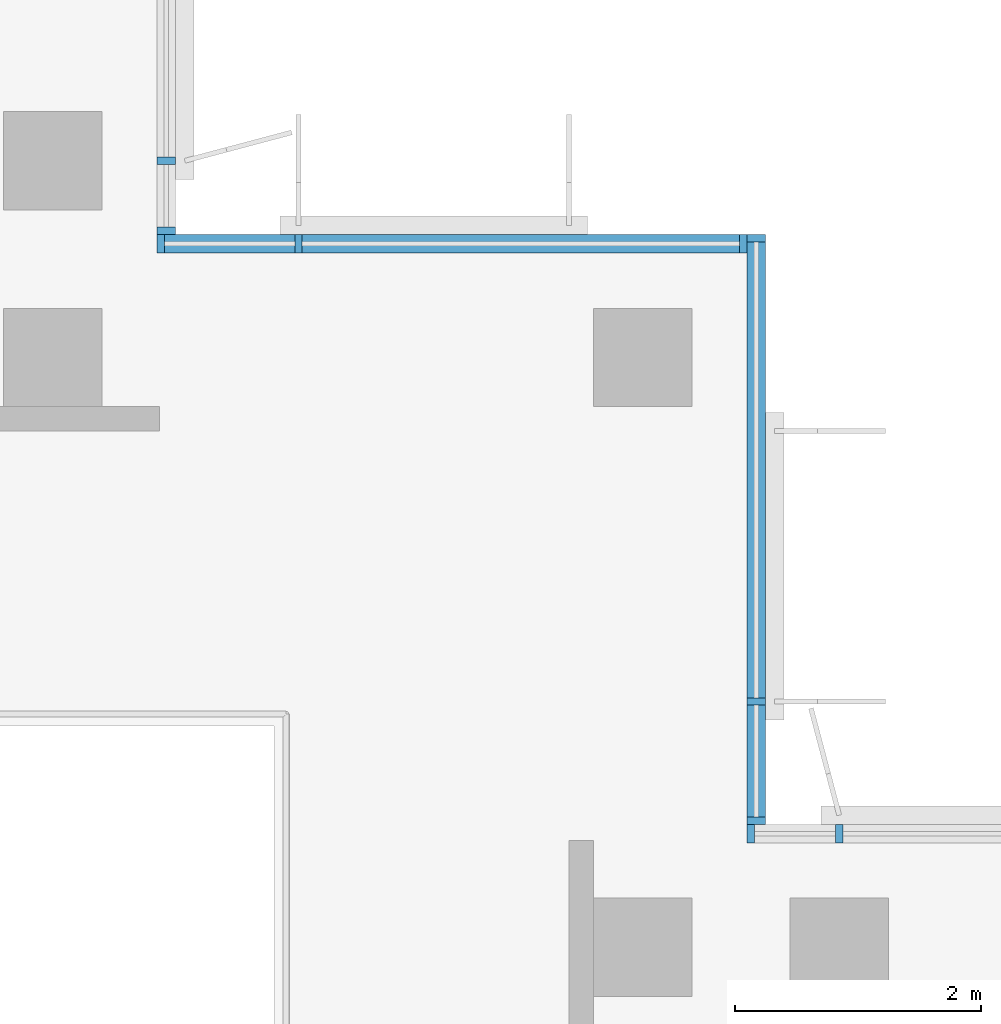
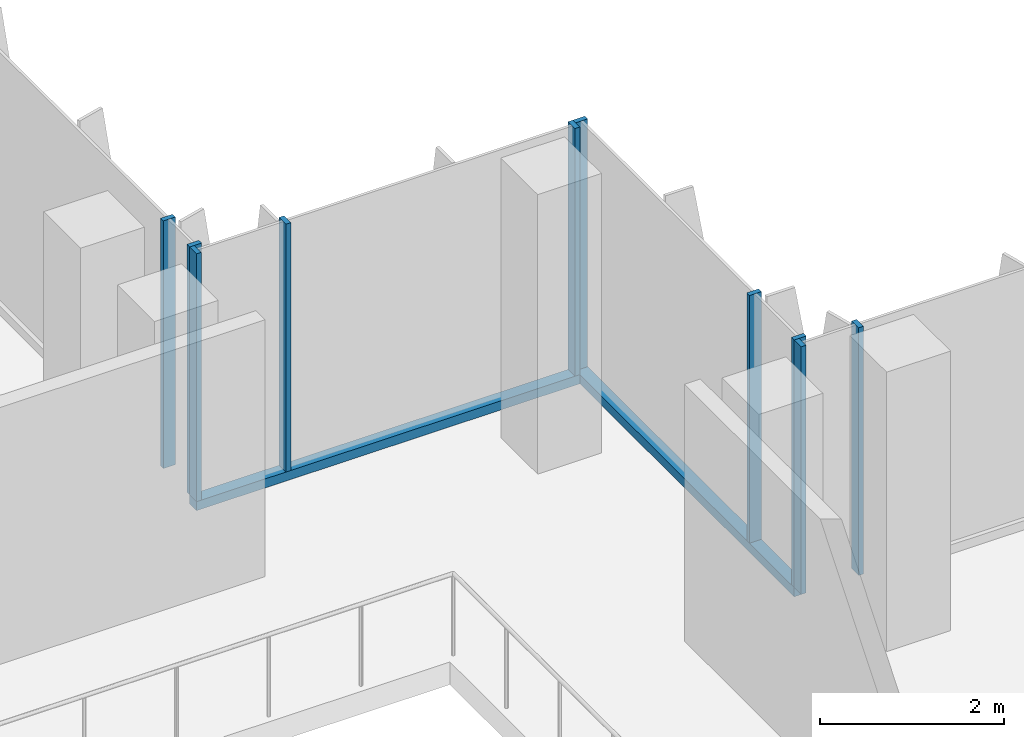
# One storey, part 2 of 16: 12 members, 4 elements without a shape of their own.
"""IFC4 building model written with IfcOpenShell, lengths in metres."""

from ifc_helpers import new_model, si_unit, direction, frame, origin, origin_2d, place, context, subcontext, project, spatial, rectangle, extrude, source, transform, mapped, material, material_profile, profile_set, type_object, element, aggregate, save


model = new_model("IFC4")

# Units and contexts
model_context = context("Model", 3, precision=1e-05, world=origin(), true_north=direction((0.0, 1.0)))
body_context = subcontext(model_context, "Body", "Model", "MODEL_VIEW")
ifc_project = project(units=[si_unit("LENGTHUNIT", "METRE"), si_unit("AREAUNIT", "SQUARE_METRE"), si_unit("VOLUMEUNIT", "CUBIC_METRE"), si_unit("PLANEANGLEUNIT", "RADIAN"), si_unit("MASSUNIT", "GRAM", prefix="KILO")], contexts=[model_context])

# Site, building, storey
site_placement = place(None, origin())
site = spatial("IfcSite", under=ifc_project, at=site_placement, CompositionType="ELEMENT")
building_placement = place(site_placement, origin())
building = spatial("IfcBuilding", under=site, at=building_placement, Name="Kemantara Hotel Tower", CompositionType="ELEMENT")
storey_placement = place(building_placement, frame((0.0, 0.0, 272.199951171875)))
storey = spatial("IfcBuildingStorey", under=building, at=storey_placement, Name="L68", CompositionType="ELEMENT", Elevation=272.199951171875)

# Curtain wall, member
ifc_material_1 = material(Name="Low-E tinted double insulated glass 36 mm", Category="glass")
curtain_wall_type = type_object("IfcCurtainWallType", Name="TOWER CURTAIN WALL, FRONT FACES", PredefinedType="USERDEFINED", material=ifc_material_1)
curtain_wall_1_placement = place(storey_placement, origin())
curtain_wall_1 = element("IfcCurtainWall", 1, at=curtain_wall_1_placement, inside=storey, type_object=curtain_wall_type, Name="CW4 L68 T4-R13-1", ObjectType="TOWER CURTAIN WALL, FRONT FACES", PredefinedType="USERDEFINED")
ifc_material_2 = material(Name="Aluminium 6063-T6 bronze anodised", Category="aluminium")
ifc_material_profile_1 = material_profile(ifc_material_2, rectangle(XDim=0.14990234375, YDim=0.1201171875, at=origin_2d()), Name="TOWER CURTAIN WALL, FRONT FACES TRANSOM")
ifc_profile_set_1 = profile_set([ifc_material_profile_1], Name="Aluminium 6063-T6 bronze anodised")
member_type_1 = type_object("IfcMemberType", Name="TOWER CURTAIN WALL, FRONT FACES TRANSOM", PredefinedType="USERDEFINED", material=ifc_profile_set_1)
member_1_placement = place(storey_placement, frame((26.72509765625, 22.0, 0.06005859375), z_axis=(0.0, 1.0, 0.0), x_axis=(-1.0, 0.0, 0.0)))
member_1 = element("IfcMember", 2, at=member_1_placement, type_object=member_type_1, Name="CW4 sill transom T4-R13-1", ObjectType="TRANSOM", PredefinedType="USERDEFINED", context=body_context, shape_type="SweptSolid", body=[
    extrude(rectangle(XDim=0.14990234375, YDim=0.1201171875, at=origin_2d()), origin(), (0.0, 0.0, 1.0), 4.800048828125),
])

curtain_wall_2_placement = place(storey_placement, origin())
curtain_wall_2 = element("IfcCurtainWall", 3, at=curtain_wall_2_placement, inside=storey, type_object=curtain_wall_type, Name="CW4 L68 T4-R14-1", ObjectType="TOWER CURTAIN WALL, FRONT FACES", PredefinedType="USERDEFINED")
member_2_placement = place(storey_placement, frame((26.64990234375, 26.72509765625, 0.06005859375), z_axis=(-1.0, 0.0, 0.0), x_axis=(0.0, -1.0, 0.0)))
member_2 = element("IfcMember", 4, at=member_2_placement, type_object=member_type_1, Name="CW4 sill transom T4-R14-1", ObjectType="TRANSOM", PredefinedType="USERDEFINED", context=body_context, shape_type="SweptSolid", body=[
    extrude(rectangle(XDim=0.14990234375, YDim=0.1201171875, at=origin_2d()), origin(), (0.0, 0.0, 1.0), 4.7998046875),
])

# Curtain wall, members
curtain_wall_3_placement = place(storey_placement, origin())
curtain_wall_3 = element("IfcCurtainWall", 5, at=curtain_wall_3_placement, inside=storey, type_object=curtain_wall_type, Name="CW4 L68 T4-R12-1", ObjectType="TOWER CURTAIN WALL, FRONT FACES", PredefinedType="USERDEFINED")
ifc_material_profile_2 = material_profile(ifc_material_2, rectangle(XDim=0.14990234375, YDim=0.06005859375, at=origin_2d()), Name="TOWER CURTAIN WALL, FRONT FACES MULLION")
ifc_profile_set_2 = profile_set([ifc_material_profile_2], Name="Aluminium 6063-T6 bronze anodised")
member_type_2 = type_object("IfcMemberType", Name="TOWER CURTAIN WALL, FRONT FACES MULLION", PredefinedType="MULLION", material=ifc_profile_set_2)
shared_shape = source(origin(), body_context, "Body", "SweptSolid", [
    extrude(rectangle(XDim=0.14990234375, YDim=0.06005859375, at=origin_2d()), origin(), (0.0, 0.0, 1.0), 3.280029296875),
])
member_3_placement = place(storey_placement, frame((27.39990234375, 21.925048828125, 0.1201171875), z_axis=(0.0, 0.0, 1.0), x_axis=(0.0, -1.0, 0.0)))
member_3 = element("IfcMember", 6, at=member_3_placement, type_object=member_type_2, Name="CW4 mullion T4-R12-1.5", PredefinedType="MULLION", context=body_context, shape_type="MappedRepresentation", body=[
    mapped(shared_shape, transform((0.0, 0.0, 0.0))),
])
member_4_placement = place(storey_placement, frame((26.679931640625, 21.925048828125, 0.1201171875), z_axis=(0.0, 0.0, 1.0), x_axis=(0.0, -1.0, 0.0)))
member_4 = element("IfcMember", 7, at=member_4_placement, type_object=member_type_2, Name="CW4 mullion T4-R12-1.6", PredefinedType="MULLION", context=body_context, shape_type="MappedRepresentation", body=[
    mapped(shared_shape, transform((0.0, 0.0, 0.0))),
])
aggregate(curtain_wall_3, [member_3, member_4])

# Member
member_5_placement = place(storey_placement, frame((26.72509765625, 22.030029296875, 0.1201171875), z_axis=(0.0, 0.0, 1.0), x_axis=(-1.0, 0.0, 0.0)))
member_5 = element("IfcMember", 8, at=member_5_placement, type_object=member_type_2, Name="CW4 mullion T4-R13-1.1", PredefinedType="MULLION", context=body_context, shape_type="MappedRepresentation", body=[
    mapped(shared_shape, transform((0.0, 0.0, 0.0))),
])

member_6_placement = place(storey_placement, frame((26.72509765625, 23.0, 0.1201171875), z_axis=(0.0, 0.0, 1.0), x_axis=(-1.0, 0.0, 0.0)))
member_6 = element("IfcMember", 9, at=member_6_placement, type_object=member_type_2, Name="CW4 mullion T4-R13-1.2", PredefinedType="MULLION", context=body_context, shape_type="MappedRepresentation", body=[
    mapped(shared_shape, transform((0.0, 0.0, 0.0))),
])

member_7_placement = place(storey_placement, frame((26.72509765625, 26.77001953125, 0.1201171875), z_axis=(0.0, 0.0, 1.0), x_axis=(-1.0, 0.0, 0.0)))
member_7 = element("IfcMember", 10, at=member_7_placement, type_object=member_type_2, Name="CW4 mullion T4-R13-1.3", PredefinedType="MULLION", context=body_context, shape_type="MappedRepresentation", body=[
    mapped(shared_shape, transform((0.0, 0.0, 0.0))),
])

aggregate(curtain_wall_1, [member_1, member_5, member_6, member_7])

member_8_placement = place(storey_placement, frame((26.6201171875, 26.72509765625, 0.1201171875), z_axis=(0.0, 0.0, 1.0), x_axis=(0.0, -1.0, 0.0)))
member_8 = element("IfcMember", 11, at=member_8_placement, type_object=member_type_2, Name="CW4 mullion T4-R14-1.1", PredefinedType="MULLION", context=body_context, shape_type="MappedRepresentation", body=[
    mapped(shared_shape, transform((0.0, 0.0, 0.0))),
])

member_9_placement = place(storey_placement, frame((23.0, 26.72509765625, 0.1201171875), z_axis=(0.0, 0.0, 1.0), x_axis=(0.0, -1.0, 0.0)))
member_9 = element("IfcMember", 12, at=member_9_placement, type_object=member_type_2, Name="CW4 mullion T4-R14-1.2", PredefinedType="MULLION", context=body_context, shape_type="MappedRepresentation", body=[
    mapped(shared_shape, transform((0.0, 0.0, 0.0))),
])

member_10_placement = place(storey_placement, frame((21.8798828125, 26.72509765625, 0.1201171875), z_axis=(0.0, 0.0, 1.0), x_axis=(0.0, -1.0, 0.0)))
member_10 = element("IfcMember", 13, at=member_10_placement, type_object=member_type_2, Name="CW4 mullion T4-R14-1.3", PredefinedType="MULLION", context=body_context, shape_type="MappedRepresentation", body=[
    mapped(shared_shape, transform((0.0, 0.0, 0.0))),
])

aggregate(curtain_wall_2, [member_2, member_8, member_9, member_10])

# Curtain wall, members
curtain_wall_4_placement = place(storey_placement, origin())
curtain_wall_4 = element("IfcCurtainWall", 14, at=curtain_wall_4_placement, inside=storey, type_object=curtain_wall_type, Name="CW4 L68 T4-R15-1", ObjectType="TOWER CURTAIN WALL, FRONT FACES", PredefinedType="USERDEFINED")
member_11_placement = place(storey_placement, frame((21.925048828125, 26.830078125, 0.1201171875), z_axis=(0.0, 0.0, 1.0), x_axis=(-1.0, 0.0, 0.0)))
member_11 = element("IfcMember", 15, at=member_11_placement, type_object=member_type_2, Name="CW4 mullion T4-R15-1.1", PredefinedType="MULLION", context=body_context, shape_type="MappedRepresentation", body=[
    mapped(shared_shape, transform((0.0, 0.0, 0.0))),
])
member_12_placement = place(storey_placement, frame((21.925048828125, 27.39990234375, 0.1201171875), z_axis=(0.0, 0.0, 1.0), x_axis=(-1.0, 0.0, 0.0)))
member_12 = element("IfcMember", 16, at=member_12_placement, type_object=member_type_2, Name="CW4 mullion T4-R15-1.2", PredefinedType="MULLION", context=body_context, shape_type="MappedRepresentation", body=[
    mapped(shared_shape, transform((0.0, 0.0, 0.0))),
])
aggregate(curtain_wall_4, [member_11, member_12])

save(model, "model.ifc")
